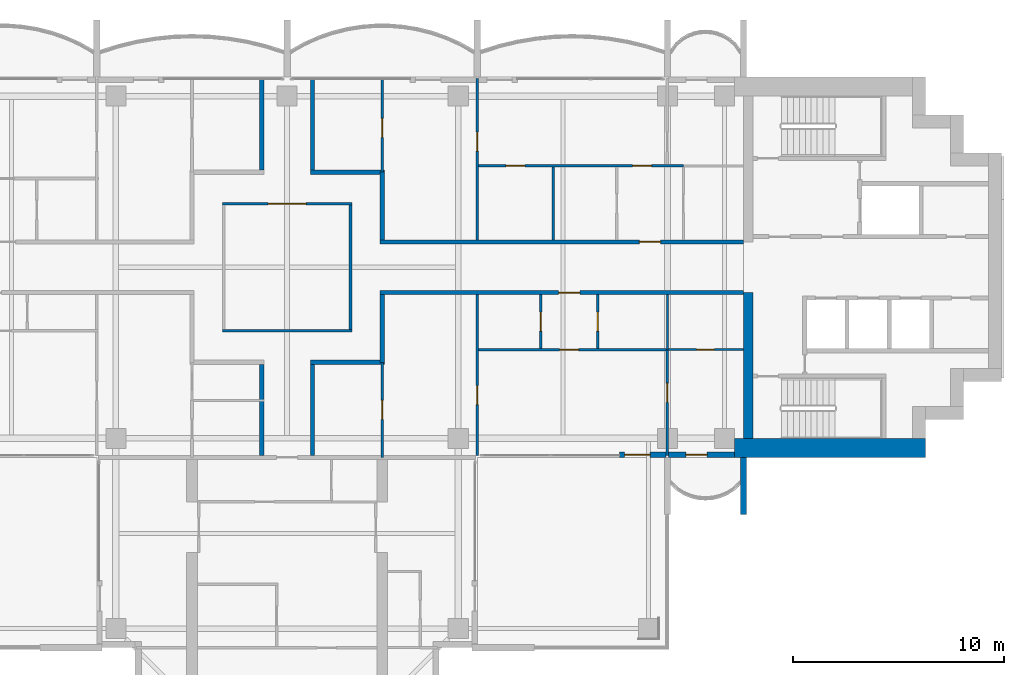
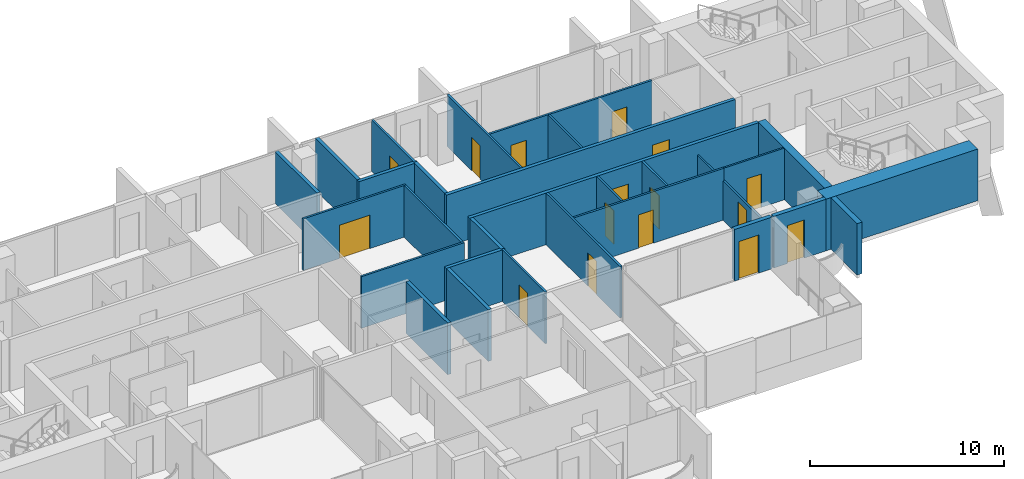
# One storey, part 11 of 17: 30 walls, 16 doors, 16 openings.
"""IFC4 building model written with IfcOpenShell, lengths in metres."""

from ifc_helpers import new_model, si_unit, direction, frame, frame_2d, origin, place, context, subcontext, project, spatial, rectangle, extrude, material, layer, layer_set, type_object, element, fill, save


model = new_model("IFC4")

# Units and contexts
model_context = context("Model", 3, precision=1e-05, world=origin(), true_north=direction((0.0, 1.0)))
body_context = subcontext(model_context, "Body", "Model", "MODEL_VIEW")
ifc_project = project(units=[si_unit("LENGTHUNIT", "METRE"), si_unit("AREAUNIT", "SQUARE_METRE"), si_unit("VOLUMEUNIT", "CUBIC_METRE"), si_unit("PLANEANGLEUNIT", "RADIAN"), si_unit("MASSUNIT", "GRAM", prefix="KILO")], contexts=[model_context])

# Site, building, storey
site_placement = place(None, origin())
site = spatial("IfcSite", under=ifc_project, at=site_placement, CompositionType="ELEMENT")
building_placement = place(site_placement, origin())
building = spatial("IfcBuilding", under=site, at=building_placement, Name="Perihelion Cross Residences", CompositionType="ELEMENT")
storey_placement = place(building_placement, frame((0.0, 0.0, 205.10009765625)))
storey = spatial("IfcBuildingStorey", under=building, at=storey_placement, Name="L51", CompositionType="ELEMENT", Elevation=205.10009765625)

# Wall, opening, door
ifc_material_1 = material(Name="Plasterboard partition")
ifc_layer_1 = layer(ifc_material_1, 0.199951171875)
ifc_layer_set_1 = layer_set([ifc_layer_1], Name="Apartment separation wall 200")
wall_type_1 = type_object("IfcWallType", Name="Apartment separation wall 200", PredefinedType="PARTITIONING", material=ifc_layer_set_1)
wall_1_placement = place(storey_placement, frame((4.39990234375, 1.199951171875, 0.0), z_axis=(0.0, 0.0, 1.0), x_axis=(1.0, 0.0, 0.0)))
wall_1 = element("IfcWall", 1, at=wall_1_placement, inside=storey, type_object=wall_type_1, Name="Partition L51 W005", PredefinedType="PARTITIONING", context=body_context, shape_type="SweptSolid", body=[
    extrude(rectangle(XDim=17.2001953125, YDim=0.199951171875, at=frame_2d((8.60009765625, 0.0))), origin(), (0.0, 0.0, 1.0), 3.25),
])
opening_1_placement = place(wall_1_placement, frame((12.27490234375, 0.0, 0.0)))
opening_1 = element("IfcOpeningElement", 2, at=opening_1_placement, cuts=wall_1, Name="Opening L51.A38", PredefinedType="OPENING", context=body_context, shape_type="SweptSolid", body=[
    extrude(rectangle(XDim=1.0, YDim=2.10009765625, at=frame_2d((0.5, 1.050048828125))), frame((0.0, 0.10986328125, 0.0), z_axis=(0.0, -1.0, 0.0), x_axis=(1.0, 0.0, 0.0)), (0.0, 0.0, 1.0), 0.219970703125),
])
ifc_material_2 = material(Name="Timber door leaf", Category="wood")
door_type_1 = type_object("IfcDoorType", Name="Flat entrance door 1000 x 2100", OperationType="SINGLE_SWING_LEFT", PredefinedType="DOOR", material=ifc_material_2)
door_1_placement = place(opening_1_placement, origin())
door_1 = element("IfcDoor", 3, at=door_1_placement, inside=storey, type_object=door_type_1, Name="Door L51.A38", OperationType="SINGLE_SWING_LEFT", OverallHeight=2.10009765625, OverallWidth=1.0, PredefinedType="DOOR", context=body_context, shape_type="SweptSolid", body=[
    extrude(rectangle(XDim=1.0, YDim=2.10009765625, at=frame_2d((0.5, 1.050048828125))), frame((0.0, 0.02490234375, 0.0), z_axis=(0.0, -1.0, 0.0), x_axis=(1.0, 0.0, 0.0)), (0.0, 0.0, 1.0), 0.050048828125),
])
fill(opening_1, door_1)

# Walls
wall_2_placement = place(storey_placement, frame((4.5, 4.5, 0.0), z_axis=(0.0, 0.0, 1.0), x_axis=(0.0, -1.0, 0.0)))
element("IfcWall", 4, at=wall_2_placement, inside=storey, type_object=wall_type_1, Name="Partition L51 W006", PredefinedType="PARTITIONING", context=body_context, shape_type="SweptSolid", body=[
    extrude(rectangle(XDim=3.199951171875, YDim=0.199951171875, at=frame_2d((1.60009765625, 0.0))), origin(), (0.0, 0.0, 1.0), 3.25),
])
wall_3_placement = place(storey_placement, frame((1.199951171875, 8.919921875, 0.0), z_axis=(0.0, 0.0, 1.0), x_axis=(0.0, -1.0, 0.0)))
element("IfcWall", 5, at=wall_3_placement, inside=storey, type_object=wall_type_1, Name="Partition L51 W007", PredefinedType="PARTITIONING", context=body_context, shape_type="SweptSolid", body=[
    extrude(rectangle(XDim=4.31982421875, YDim=0.199951171875, at=frame_2d((2.159912109375, 0.0))), origin(), (0.0, 0.0, 1.0), 3.25),
])
wall_4_placement = place(storey_placement, frame((1.10009765625, 4.5, 0.0), z_axis=(0.0, 0.0, 1.0), x_axis=(1.0, 0.0, 0.0)))
element("IfcWall", 6, at=wall_4_placement, inside=storey, type_object=wall_type_1, Name="Partition L51 W008", PredefinedType="PARTITIONING", context=body_context, shape_type="SweptSolid", body=[
    extrude(rectangle(XDim=3.5, YDim=0.199951171875, at=frame_2d((1.75, 0.0))), origin(), (0.0, 0.0, 1.0), 3.25),
])

# Wall, opening, door
wall_5_placement = place(storey_placement, frame((21.60009765625, -1.199951171875, 0.0), z_axis=(0.0, 0.0, 1.0), x_axis=(-1.0, 0.0, 0.0)))
wall_5 = element("IfcWall", 7, at=wall_5_placement, inside=storey, type_object=wall_type_1, Name="Partition L51 W009", PredefinedType="PARTITIONING", context=body_context, shape_type="SweptSolid", body=[
    extrude(rectangle(XDim=17.2001953125, YDim=0.199951171875, at=frame_2d((8.60009765625, 0.0))), origin(), (0.0, 0.0, 1.0), 3.25),
])
opening_2_placement = place(wall_5_placement, frame((7.75, 0.0, 0.0)))
opening_2 = element("IfcOpeningElement", 8, at=opening_2_placement, cuts=wall_5, Name="Opening L51.A39", PredefinedType="OPENING", context=body_context, shape_type="SweptSolid", body=[
    extrude(rectangle(XDim=1.0, YDim=2.10009765625, at=frame_2d((0.5, 1.050048828125))), frame((0.0, 0.10986328125, 0.0), z_axis=(0.0, -1.0, 0.0), x_axis=(1.0, 0.0, 0.0)), (0.0, 0.0, 1.0), 0.219970703125),
])
door_2_placement = place(opening_2_placement, origin())
door_2 = element("IfcDoor", 9, at=door_2_placement, inside=storey, type_object=door_type_1, Name="Door L51.A39", OperationType="SINGLE_SWING_LEFT", OverallHeight=2.10009765625, OverallWidth=1.0, PredefinedType="DOOR", context=body_context, shape_type="SweptSolid", body=[
    extrude(rectangle(XDim=1.0, YDim=2.10009765625, at=frame_2d((0.5, 1.050048828125))), frame((0.0, 0.02490234375, 0.0), z_axis=(0.0, -1.0, 0.0), x_axis=(1.0, 0.0, 0.0)), (0.0, 0.0, 1.0), 0.050048828125),
])
fill(opening_2, door_2)

# Walls
wall_6_placement = place(storey_placement, frame((4.5, -1.300048828125, 0.0), z_axis=(0.0, 0.0, 1.0), x_axis=(0.0, -1.0, 0.0)))
element("IfcWall", 10, at=wall_6_placement, inside=storey, type_object=wall_type_1, Name="Partition L51 W010", PredefinedType="PARTITIONING", context=body_context, shape_type="SweptSolid", body=[
    extrude(rectangle(XDim=3.199951171875, YDim=0.199951171875, at=frame_2d((1.60009765625, 0.0))), origin(), (0.0, 0.0, 1.0), 3.25),
])
wall_7_placement = place(storey_placement, frame((4.60009765625, -4.5, 0.0), z_axis=(0.0, 0.0, 1.0), x_axis=(-1.0, 0.0, 0.0)))
element("IfcWall", 11, at=wall_7_placement, inside=storey, type_object=wall_type_1, Name="Partition L51 W011", PredefinedType="PARTITIONING", context=body_context, shape_type="SweptSolid", body=[
    extrude(rectangle(XDim=3.5, YDim=0.199951171875, at=frame_2d((1.75, 0.0))), origin(), (0.0, 0.0, 1.0), 3.25),
])
wall_8_placement = place(storey_placement, frame((1.199951171875, -4.60009765625, 0.0), z_axis=(0.0, 0.0, 1.0), x_axis=(0.0, -1.0, 0.0)))
element("IfcWall", 12, at=wall_8_placement, inside=storey, type_object=wall_type_1, Name="Partition L51 W012", PredefinedType="PARTITIONING", context=body_context, shape_type="SweptSolid", body=[
    extrude(rectangle(XDim=4.2998046875, YDim=0.199951171875, at=frame_2d((2.14990234375, 0.0))), origin(), (0.0, 0.0, 1.0), 3.25),
])
wall_9_placement = place(storey_placement, frame((-1.199951171875, 4.60009765625, 0.0), z_axis=(0.0, 0.0, 1.0), x_axis=(0.0, 1.0, 0.0)))
element("IfcWall", 13, at=wall_9_placement, inside=storey, type_object=wall_type_1, Name="Partition L51 W016", PredefinedType="PARTITIONING", context=body_context, shape_type="SweptSolid", body=[
    extrude(rectangle(XDim=4.31982421875, YDim=0.199951171875, at=frame_2d((2.159912109375, 0.0))), origin(), (0.0, 0.0, 1.0), 3.25),
])
wall_10_placement = place(storey_placement, frame((-1.199951171875, -8.89990234375, 0.0), z_axis=(0.0, 0.0, 1.0), x_axis=(0.0, 1.0, 0.0)))
element("IfcWall", 14, at=wall_10_placement, inside=storey, type_object=wall_type_1, Name="Partition L51 W019", PredefinedType="PARTITIONING", context=body_context, shape_type="SweptSolid", body=[
    extrude(rectangle(XDim=4.2998046875, YDim=0.199951171875, at=frame_2d((2.14990234375, 0.0))), origin(), (0.0, 0.0, 1.0), 3.25),
])

# Wall, opening, door
ifc_material_3 = material(Name="Concrete C30/37, bronze-clad", Category="concrete")
ifc_layer_2 = layer(ifc_material_3, 0.25)
ifc_layer_set_2 = layer_set([ifc_layer_2], Name="Bronze-clad pier wall 250")
wall_type_2 = type_object("IfcWallType", Name="Bronze-clad pier wall 250", PredefinedType="SOLIDWALL", material=ifc_layer_set_2)
wall_11_placement = place(storey_placement, frame((15.72509765625, -8.875, 0.0), z_axis=(0.0, 0.0, 1.0), x_axis=(1.0, 0.0, 0.0)))
wall_11 = element("IfcWall", 15, at=wall_11_placement, inside=storey, type_object=wall_type_2, Name="Wall FW1 L51 east side south bay 1 pier", PredefinedType="SOLIDWALL", context=body_context, shape_type="SweptSolid", body=[
    extrude(rectangle(XDim=2.21484375, YDim=0.25, at=frame_2d((1.107421875, 0.0))), origin(), (0.0, 0.0, 1.0), 3.25),
])
opening_3_placement = place(wall_11_placement, frame((0.25, 0.0, 0.0)))
opening_3 = element("IfcOpeningElement", 16, at=opening_3_placement, cuts=wall_11, Name="Opening L51.E13", PredefinedType="OPENING", context=body_context, shape_type="SweptSolid", body=[
    extrude(rectangle(XDim=1.199951171875, YDim=2.39990234375, at=frame_2d((0.60009765625, 1.199951171875))), frame((0.0, 0.135009765625, 0.0), z_axis=(0.0, -1.0, 0.0), x_axis=(1.0, 0.0, 0.0)), (0.0, 0.0, 1.0), 0.27001953125),
])
ifc_material_4 = material(Name="Bronze anodised aluminium, glazed", Category="aluminium")
door_type_2 = type_object("IfcDoorType", Name="Balcony door 1200 x 2400", OperationType="NOTDEFINED", PredefinedType="DOOR", material=ifc_material_4)
door_3_placement = place(opening_3_placement, origin())
door_3 = element("IfcDoor", 17, at=door_3_placement, inside=storey, type_object=door_type_2, Name="Door L51.E13 east side south bay 1", OperationType="SINGLE_SWING_LEFT", OverallHeight=2.39990234375, OverallWidth=1.199951171875, PredefinedType="DOOR", context=body_context, shape_type="SweptSolid", body=[
    extrude(rectangle(XDim=1.199951171875, YDim=2.39990234375, at=frame_2d((0.60009765625, 1.199951171875))), frame((0.0, 0.02490234375, 0.0), z_axis=(0.0, -1.0, 0.0), x_axis=(1.0, 0.0, 0.0)), (0.0, 0.0, 1.0), 0.050048828125),
])
fill(opening_3, door_3)

wall_12_placement = place(storey_placement, frame((18.06005859375, -8.875, 0.0), z_axis=(0.0, 0.0, 1.0), x_axis=(1.0, 0.0, 0.0)))
wall_12 = element("IfcWall", 18, at=wall_12_placement, inside=storey, type_object=wall_type_2, Name="Wall FW1 L51 east side south bay 2 pier", PredefinedType="SOLIDWALL", context=body_context, shape_type="SweptSolid", body=[
    extrude(rectangle(XDim=3.114990234375, YDim=0.25, at=frame_2d((1.5576171875, 0.0))), origin(), (0.0, 0.0, 1.0), 3.25),
])
opening_4_placement = place(wall_12_placement, frame((0.81494140625, 0.0, 0.0)))
opening_4 = element("IfcOpeningElement", 19, at=opening_4_placement, cuts=wall_12, Name="Opening L51.E14", PredefinedType="OPENING", context=body_context, shape_type="SweptSolid", body=[
    extrude(rectangle(XDim=1.0, YDim=2.39990234375, at=frame_2d((0.5, 1.199951171875))), frame((0.0, 0.135009765625, 0.0), z_axis=(0.0, -1.0, 0.0), x_axis=(1.0, 0.0, 0.0)), (0.0, 0.0, 1.0), 0.27001953125),
])
ifc_material_5 = material(Name="Bronze anodised aluminium, glazed", Category="aluminium")
door_type_3 = type_object("IfcDoorType", Name="Balcony door 1000 x 2400", OperationType="NOTDEFINED", PredefinedType="DOOR", material=ifc_material_5)
door_4_placement = place(opening_4_placement, origin())
door_4 = element("IfcDoor", 20, at=door_4_placement, inside=storey, type_object=door_type_3, Name="Door L51.E14 east side south bay 2", OperationType="SINGLE_SWING_RIGHT", OverallHeight=2.39990234375, OverallWidth=1.0, PredefinedType="DOOR", context=body_context, shape_type="SweptSolid", body=[
    extrude(rectangle(XDim=1.0, YDim=2.39990234375, at=frame_2d((0.5, 1.199951171875))), frame((0.0, 0.02490234375, 0.0), z_axis=(0.0, -1.0, 0.0), x_axis=(1.0, 0.0, 0.0)), (0.0, 0.0, 1.0), 0.050048828125),
])
fill(opening_4, door_4)

# Walls
ifc_material_6 = material(Name="Concrete C60/75", Category="concrete")
ifc_layer_3 = layer(ifc_material_6, 0.449951171875)
ifc_layer_set_3 = layer_set([ifc_layer_3], Name="Core wall, inner 450")
wall_type_3 = type_object("IfcWallType", Name="Core wall, inner 450", PredefinedType="SHEAR", material=ifc_layer_set_3)
wall_13_placement = place(storey_placement, frame((21.824951171875, -8.10009765625, 0.0), z_axis=(0.0, 0.0, 1.0), x_axis=(0.0, 1.0, 0.0)))
element("IfcWall", 21, at=wall_13_placement, inside=storey, type_object=wall_type_3, Name="East core core wall, inner", PredefinedType="SHEAR", context=body_context, shape_type="SweptSolid", body=[
    extrude(rectangle(XDim=6.900146484375, YDim=0.449951171875, at=frame_2d((3.4501953125, 0.0))), origin(), (0.0, 0.0, 1.0), 3.25),
])
ifc_material_7 = material(Name="Concrete C60/75", Category="concrete")
ifc_layer_4 = layer(ifc_material_7, 0.89990234375)
ifc_layer_set_4 = layer_set([ifc_layer_4], Name="Core wall, outer 900")
wall_type_4 = type_object("IfcWallType", Name="Core wall, outer 900", PredefinedType="SHEAR", material=ifc_layer_set_4)
wall_14_placement = place(storey_placement, frame((21.175048828125, -8.550048828125, 0.0), z_axis=(0.0, 0.0, 1.0), x_axis=(1.0, 0.0, 0.0)))
element("IfcWall", 22, at=wall_14_placement, inside=storey, type_object=wall_type_4, Name="East core core wall, outer", PredefinedType="SHEAR", context=body_context, shape_type="SweptSolid", body=[
    extrude(rectangle(XDim=9.02490234375, YDim=0.89990234375, at=frame_2d((4.512451171875, 0.0))), origin(), (0.0, 0.0, 1.0), 3.25),
])
ifc_material_8 = material(Name="Plasterboard partition")
ifc_layer_5 = layer(ifc_material_8, 0.1201171875)
ifc_layer_set_5 = layer_set([ifc_layer_5], Name="Partition wall 120")
wall_type_5 = type_object("IfcWallType", Name="Partition wall 120", PredefinedType="PARTITIONING", material=ifc_layer_set_5)
wall_15_placement = place(storey_placement, frame((-3.06005859375, -3.0, 0.0), z_axis=(0.0, 0.0, 1.0), x_axis=(1.0, 0.0, 0.0)))
element("IfcWall", 23, at=wall_15_placement, inside=storey, type_object=wall_type_5, Name="Partition L51 W001", PredefinedType="PARTITIONING", context=body_context, shape_type="SweptSolid", body=[
    extrude(rectangle(XDim=6.1201171875, YDim=0.1201171875, at=frame_2d((3.06005859375, 0.0))), origin(), (0.0, 0.0, 1.0), 3.25),
])
wall_16_placement = place(storey_placement, frame((3.0, -2.93994140625, 0.0), z_axis=(0.0, 0.0, 1.0), x_axis=(0.0, 1.0, 0.0)))
element("IfcWall", 24, at=wall_16_placement, inside=storey, type_object=wall_type_5, Name="Partition L51 W002", PredefinedType="PARTITIONING", context=body_context, shape_type="SweptSolid", body=[
    extrude(rectangle(XDim=5.8798828125, YDim=0.1201171875, at=frame_2d((2.93994140625, 0.0))), origin(), (0.0, 0.0, 1.0), 3.25),
])

# Wall, opening, door
wall_17_placement = place(storey_placement, frame((3.06005859375, 3.0, 0.0), z_axis=(0.0, 0.0, 1.0), x_axis=(-1.0, 0.0, 0.0)))
wall_17 = element("IfcWall", 25, at=wall_17_placement, inside=storey, type_object=wall_type_5, Name="Partition L51 W003", PredefinedType="PARTITIONING", context=body_context, shape_type="SweptSolid", body=[
    extrude(rectangle(XDim=6.1201171875, YDim=0.1201171875, at=frame_2d((3.06005859375, 0.0))), origin(), (0.0, 0.0, 1.0), 3.25),
])
opening_5_placement = place(wall_17_placement, frame((2.159912109375, 0.0, 0.0)))
opening_5 = element("IfcOpeningElement", 26, at=opening_5_placement, cuts=wall_17, Name="Opening L51.A01", PredefinedType="OPENING", context=body_context, shape_type="SweptSolid", body=[
    extrude(rectangle(XDim=1.800048828125, YDim=2.10009765625, at=frame_2d((0.89990234375, 1.050048828125))), frame((0.0, 0.070068359375, 0.0), z_axis=(0.0, -1.0, 0.0), x_axis=(1.0, 0.0, 0.0)), (0.0, 0.0, 1.0), 0.14013671875),
])
ifc_material_9 = material(Name="Glazed timber door leaf", Category="wood")
door_type_4 = type_object("IfcDoorType", Name="Interior double leaf door 1800 x 2100", OperationType="DOUBLE_DOOR_SINGLE_SWING", PredefinedType="DOOR", material=ifc_material_9)
door_5_placement = place(opening_5_placement, origin())
door_5 = element("IfcDoor", 27, at=door_5_placement, inside=storey, type_object=door_type_4, Name="Door L51.A01", OperationType="SINGLE_SWING_LEFT", OverallHeight=2.10009765625, OverallWidth=1.800048828125, PredefinedType="DOOR", context=body_context, shape_type="SweptSolid", body=[
    extrude(rectangle(XDim=1.800048828125, YDim=2.10009765625, at=frame_2d((0.89990234375, 1.050048828125))), frame((0.0, 0.02490234375, 0.0), z_axis=(0.0, -1.0, 0.0), x_axis=(1.0, 0.0, 0.0)), (0.0, 0.0, 1.0), 0.050048828125),
])
fill(opening_5, door_5)

# Wall
wall_18_placement = place(storey_placement, frame((12.60009765625, 4.739990234375, 0.0), z_axis=(0.0, 0.0, 1.0), x_axis=(0.0, -1.0, 0.0)))
element("IfcWall", 28, at=wall_18_placement, inside=storey, type_object=wall_type_5, Name="Partition L51 W022", PredefinedType="PARTITIONING", context=body_context, shape_type="SweptSolid", body=[
    extrude(rectangle(XDim=3.43994140625, YDim=0.1201171875, at=frame_2d((1.719970703125, 0.0))), origin(), (0.0, 0.0, 1.0), 3.25),
])

# Wall, openings, doors
wall_19_placement = place(storey_placement, frame((8.93994140625, 4.800048828125, 0.0), z_axis=(0.0, 0.0, 1.0), x_axis=(1.0, 0.0, 0.0)))
wall_19 = element("IfcWall", 29, at=wall_19_placement, inside=storey, type_object=wall_type_5, Name="Partition L51 W023", PredefinedType="PARTITIONING", context=body_context, shape_type="SweptSolid", body=[
    extrude(rectangle(XDim=9.81005859375, YDim=0.1201171875, at=frame_2d((4.905029296875, 0.0))), origin(), (0.0, 0.0, 1.0), 3.25),
])
opening_6_placement = place(wall_19_placement, frame((1.409912109375, 0.0, 0.0)))
opening_6 = element("IfcOpeningElement", 30, at=opening_6_placement, cuts=wall_19, Name="Opening L51.A05", PredefinedType="OPENING", context=body_context, shape_type="SweptSolid", body=[
    extrude(rectangle(XDim=0.89990234375, YDim=2.10009765625, at=frame_2d((0.449951171875, 1.050048828125))), frame((0.0, 0.070068359375, 0.0), z_axis=(0.0, -1.0, 0.0), x_axis=(1.0, 0.0, 0.0)), (0.0, 0.0, 1.0), 0.14013671875),
])
opening_7_placement = place(wall_19_placement, frame((7.409912109375, 0.0, 0.0)))
opening_7 = element("IfcOpeningElement", 31, at=opening_7_placement, cuts=wall_19, Name="Opening L51.A06", PredefinedType="OPENING", context=body_context, shape_type="SweptSolid", body=[
    extrude(rectangle(XDim=0.89990234375, YDim=2.10009765625, at=frame_2d((0.449951171875, 1.050048828125))), frame((0.0, 0.070068359375, 0.0), z_axis=(0.0, -1.0, 0.0), x_axis=(1.0, 0.0, 0.0)), (0.0, 0.0, 1.0), 0.14013671875),
])
ifc_material_10 = material(Name="Timber door leaf", Category="wood")
door_type_5 = type_object("IfcDoorType", Name="Interior room door 900 x 2100", OperationType="SINGLE_SWING_LEFT", PredefinedType="DOOR", material=ifc_material_10)
door_6_placement = place(opening_6_placement, origin())
door_6 = element("IfcDoor", 32, at=door_6_placement, inside=storey, type_object=door_type_5, Name="Door L51.A05", OperationType="SINGLE_SWING_RIGHT", OverallHeight=2.10009765625, OverallWidth=0.89990234375, PredefinedType="DOOR", context=body_context, shape_type="SweptSolid", body=[
    extrude(rectangle(XDim=0.89990234375, YDim=2.10009765625, at=frame_2d((0.449951171875, 1.050048828125))), frame((0.0, 0.02490234375, 0.0), z_axis=(0.0, -1.0, 0.0), x_axis=(1.0, 0.0, 0.0)), (0.0, 0.0, 1.0), 0.050048828125),
])
fill(opening_6, door_6)
door_7_placement = place(opening_7_placement, origin())
door_7 = element("IfcDoor", 33, at=door_7_placement, inside=storey, type_object=door_type_5, Name="Door L51.A06", OperationType="SINGLE_SWING_LEFT", OverallHeight=2.10009765625, OverallWidth=0.89990234375, PredefinedType="DOOR", context=body_context, shape_type="SweptSolid", body=[
    extrude(rectangle(XDim=0.89990234375, YDim=2.10009765625, at=frame_2d((0.449951171875, 1.050048828125))), frame((0.0, 0.02490234375, 0.0), z_axis=(0.0, -1.0, 0.0), x_axis=(1.0, 0.0, 0.0)), (0.0, 0.0, 1.0), 0.050048828125),
])
fill(opening_7, door_7)

# Wall, opening, door
wall_20_placement = place(storey_placement, frame((9.0, 1.300048828125, 0.0), z_axis=(0.0, 0.0, 1.0), x_axis=(0.0, 1.0, 0.0)))
wall_20 = element("IfcWall", 34, at=wall_20_placement, inside=storey, type_object=wall_type_5, Name="Partition L51 W024", PredefinedType="PARTITIONING", context=body_context, shape_type="SweptSolid", body=[
    extrude(rectangle(XDim=7.619873046875, YDim=0.1201171875, at=frame_2d((3.81005859375, 0.0))), origin(), (0.0, 0.0, 1.0), 3.25),
])
opening_8_placement = place(wall_20_placement, frame((4.199951171875, 0.0, 0.0)))
opening_8 = element("IfcOpeningElement", 35, at=opening_8_placement, cuts=wall_20, Name="Opening L51.A07", PredefinedType="OPENING", context=body_context, shape_type="SweptSolid", body=[
    extrude(rectangle(XDim=0.89990234375, YDim=2.10009765625, at=frame_2d((0.449951171875, 1.050048828125))), frame((0.0, 0.070068359375, 0.0), z_axis=(0.0, -1.0, 0.0), x_axis=(1.0, 0.0, 0.0)), (0.0, 0.0, 1.0), 0.14013671875),
])
door_8_placement = place(opening_8_placement, origin())
door_8 = element("IfcDoor", 36, at=door_8_placement, inside=storey, type_object=door_type_5, Name="Door L51.A07", OperationType="SINGLE_SWING_LEFT", OverallHeight=2.10009765625, OverallWidth=0.89990234375, PredefinedType="DOOR", context=body_context, shape_type="SweptSolid", body=[
    extrude(rectangle(XDim=0.89990234375, YDim=2.10009765625, at=frame_2d((0.449951171875, 1.050048828125))), frame((0.0, 0.02490234375, 0.0), z_axis=(0.0, -1.0, 0.0), x_axis=(1.0, 0.0, 0.0)), (0.0, 0.0, 1.0), 0.050048828125),
])
fill(opening_8, door_8)

wall_21_placement = place(storey_placement, frame((4.5, 4.5, 0.0), z_axis=(0.0, 0.0, 1.0), x_axis=(0.0, 1.0, 0.0)))
wall_21 = element("IfcWall", 37, at=wall_21_placement, inside=storey, type_object=wall_type_5, Name="Partition L51 W029", PredefinedType="PARTITIONING", context=body_context, shape_type="SweptSolid", body=[
    extrude(rectangle(XDim=4.419921875, YDim=0.1201171875, at=frame_2d((2.2099609375, 0.0))), origin(), (0.0, 0.0, 1.0), 3.25),
])
opening_9_placement = place(wall_21_placement, frame((1.64990234375, 0.0, 0.0)))
opening_9 = element("IfcOpeningElement", 38, at=opening_9_placement, cuts=wall_21, Name="Opening L51.A03", PredefinedType="OPENING", context=body_context, shape_type="SweptSolid", body=[
    extrude(rectangle(XDim=0.89990234375, YDim=2.10009765625, at=frame_2d((0.449951171875, 1.050048828125))), frame((0.0, 0.070068359375, 0.0), z_axis=(0.0, -1.0, 0.0), x_axis=(1.0, 0.0, 0.0)), (0.0, 0.0, 1.0), 0.14013671875),
])
door_9_placement = place(opening_9_placement, origin())
door_9 = element("IfcDoor", 39, at=door_9_placement, inside=storey, type_object=door_type_5, Name="Door L51.A03", OperationType="SINGLE_SWING_LEFT", OverallHeight=2.10009765625, OverallWidth=0.89990234375, PredefinedType="DOOR", context=body_context, shape_type="SweptSolid", body=[
    extrude(rectangle(XDim=0.89990234375, YDim=2.10009765625, at=frame_2d((0.449951171875, 1.050048828125))), frame((0.0, 0.02490234375, 0.0), z_axis=(0.0, -1.0, 0.0), x_axis=(1.0, 0.0, 0.0)), (0.0, 0.0, 1.0), 0.050048828125),
])
fill(opening_9, door_9)

wall_22_placement = place(storey_placement, frame((12.0, -1.300048828125, 0.0), z_axis=(0.0, 0.0, 1.0), x_axis=(0.0, -1.0, 0.0)))
wall_22 = element("IfcWall", 40, at=wall_22_placement, inside=storey, type_object=wall_type_5, Name="Partition L51 W030", PredefinedType="PARTITIONING", context=body_context, shape_type="SweptSolid", body=[
    extrude(rectangle(XDim=2.5400390625, YDim=0.1201171875, at=frame_2d((1.27001953125, 0.0))), origin(), (0.0, 0.0, 1.0), 3.25),
])
opening_10_placement = place(wall_22_placement, frame((0.820068359375, 0.0, 0.0)))
opening_10 = element("IfcOpeningElement", 41, at=opening_10_placement, cuts=wall_22, Name="Opening L51.A12", PredefinedType="OPENING", context=body_context, shape_type="SweptSolid", body=[
    extrude(rectangle(XDim=0.89990234375, YDim=2.10009765625, at=frame_2d((0.449951171875, 1.050048828125))), frame((0.0, 0.070068359375, 0.0), z_axis=(0.0, -1.0, 0.0), x_axis=(1.0, 0.0, 0.0)), (0.0, 0.0, 1.0), 0.14013671875),
])
door_10_placement = place(opening_10_placement, origin())
door_10 = element("IfcDoor", 42, at=door_10_placement, inside=storey, type_object=door_type_5, Name="Door L51.A12", OperationType="SINGLE_SWING_LEFT", OverallHeight=2.10009765625, OverallWidth=0.89990234375, PredefinedType="DOOR", context=body_context, shape_type="SweptSolid", body=[
    extrude(rectangle(XDim=0.89990234375, YDim=2.10009765625, at=frame_2d((0.449951171875, 1.050048828125))), frame((0.0, 0.02490234375, 0.0), z_axis=(0.0, -1.0, 0.0), x_axis=(1.0, 0.0, 0.0)), (0.0, 0.0, 1.0), 0.050048828125),
])
fill(opening_10, door_10)

wall_23_placement = place(storey_placement, frame((18.0, -3.89990234375, 0.0), z_axis=(0.0, 0.0, 1.0), x_axis=(-1.0, 0.0, 0.0)))
wall_23 = element("IfcWall", 43, at=wall_23_placement, inside=storey, type_object=wall_type_5, Name="Partition L51 W031", PredefinedType="PARTITIONING", context=body_context, shape_type="SweptSolid", body=[
    extrude(rectangle(XDim=9.06005859375, YDim=0.1201171875, at=frame_2d((4.530029296875, 0.0))), origin(), (0.0, 0.0, 1.0), 3.25),
])
opening_11_placement = place(wall_23_placement, frame((4.199951171875, 0.0, 0.0)))
opening_11 = element("IfcOpeningElement", 44, at=opening_11_placement, cuts=wall_23, Name="Opening L51.A13", PredefinedType="OPENING", context=body_context, shape_type="SweptSolid", body=[
    extrude(rectangle(XDim=0.89990234375, YDim=2.10009765625, at=frame_2d((0.449951171875, 1.050048828125))), frame((0.0, 0.070068359375, 0.0), z_axis=(0.0, -1.0, 0.0), x_axis=(1.0, 0.0, 0.0)), (0.0, 0.0, 1.0), 0.14013671875),
])
door_11_placement = place(opening_11_placement, origin())
door_11 = element("IfcDoor", 45, at=door_11_placement, inside=storey, type_object=door_type_5, Name="Door L51.A13", OperationType="SINGLE_SWING_LEFT", OverallHeight=2.10009765625, OverallWidth=0.89990234375, PredefinedType="DOOR", context=body_context, shape_type="SweptSolid", body=[
    extrude(rectangle(XDim=0.89990234375, YDim=2.10009765625, at=frame_2d((0.449951171875, 1.050048828125))), frame((0.0, 0.02490234375, 0.0), z_axis=(0.0, -1.0, 0.0), x_axis=(1.0, 0.0, 0.0)), (0.0, 0.0, 1.0), 0.050048828125),
])
fill(opening_11, door_11)

wall_24_placement = place(storey_placement, frame((9.0, -8.919921875, 0.0), z_axis=(0.0, 0.0, 1.0), x_axis=(0.0, 1.0, 0.0)))
wall_24 = element("IfcWall", 46, at=wall_24_placement, inside=storey, type_object=wall_type_5, Name="Partition L51 W032", PredefinedType="PARTITIONING", context=body_context, shape_type="SweptSolid", body=[
    extrude(rectangle(XDim=7.619873046875, YDim=0.1201171875, at=frame_2d((3.81005859375, 0.0))), origin(), (0.0, 0.0, 1.0), 3.25),
])
opening_12_placement = place(wall_24_placement, frame((2.419921875, 0.0, 0.0)))
opening_12 = element("IfcOpeningElement", 47, at=opening_12_placement, cuts=wall_24, Name="Opening L51.A15", PredefinedType="OPENING", context=body_context, shape_type="SweptSolid", body=[
    extrude(rectangle(XDim=0.89990234375, YDim=2.10009765625, at=frame_2d((0.449951171875, 1.050048828125))), frame((0.0, 0.070068359375, 0.0), z_axis=(0.0, -1.0, 0.0), x_axis=(1.0, 0.0, 0.0)), (0.0, 0.0, 1.0), 0.14013671875),
])
door_12_placement = place(opening_12_placement, origin())
door_12 = element("IfcDoor", 48, at=door_12_placement, inside=storey, type_object=door_type_5, Name="Door L51.A15", OperationType="SINGLE_SWING_LEFT", OverallHeight=2.10009765625, OverallWidth=0.89990234375, PredefinedType="DOOR", context=body_context, shape_type="SweptSolid", body=[
    extrude(rectangle(XDim=0.89990234375, YDim=2.10009765625, at=frame_2d((0.449951171875, 1.050048828125))), frame((0.0, 0.02490234375, 0.0), z_axis=(0.0, -1.0, 0.0), x_axis=(1.0, 0.0, 0.0)), (0.0, 0.0, 1.0), 0.050048828125),
])
fill(opening_12, door_12)

wall_25_placement = place(storey_placement, frame((14.699951171875, -1.300048828125, 0.0), z_axis=(0.0, 0.0, 1.0), x_axis=(0.0, -1.0, 0.0)))
wall_25 = element("IfcWall", 49, at=wall_25_placement, inside=storey, type_object=wall_type_5, Name="Partition L51 W033", PredefinedType="PARTITIONING", context=body_context, shape_type="SweptSolid", body=[
    extrude(rectangle(XDim=2.5400390625, YDim=0.1201171875, at=frame_2d((1.27001953125, 0.0))), origin(), (0.0, 0.0, 1.0), 3.25),
])
opening_13_placement = place(wall_25_placement, frame((0.820068359375, 0.0, 0.0)))
opening_13 = element("IfcOpeningElement", 50, at=opening_13_placement, cuts=wall_25, Name="Opening L51.A14", PredefinedType="OPENING", context=body_context, shape_type="SweptSolid", body=[
    extrude(rectangle(XDim=0.89990234375, YDim=2.10009765625, at=frame_2d((0.449951171875, 1.050048828125))), frame((0.0, 0.070068359375, 0.0), z_axis=(0.0, -1.0, 0.0), x_axis=(1.0, 0.0, 0.0)), (0.0, 0.0, 1.0), 0.14013671875),
])
door_13_placement = place(opening_13_placement, origin())
door_13 = element("IfcDoor", 51, at=door_13_placement, inside=storey, type_object=door_type_5, Name="Door L51.A14", OperationType="SINGLE_SWING_RIGHT", OverallHeight=2.10009765625, OverallWidth=0.89990234375, PredefinedType="DOOR", context=body_context, shape_type="SweptSolid", body=[
    extrude(rectangle(XDim=0.89990234375, YDim=2.10009765625, at=frame_2d((0.449951171875, 1.050048828125))), frame((0.0, 0.02490234375, 0.0), z_axis=(0.0, -1.0, 0.0), x_axis=(1.0, 0.0, 0.0)), (0.0, 0.0, 1.0), 0.050048828125),
])
fill(opening_13, door_13)

wall_26_placement = place(storey_placement, frame((18.0, -3.89990234375, 0.0), z_axis=(0.0, 0.0, 1.0), x_axis=(0.0, -1.0, 0.0)))
wall_26 = element("IfcWall", 52, at=wall_26_placement, inside=storey, type_object=wall_type_5, Name="Partition L51 W036", PredefinedType="PARTITIONING", context=body_context, shape_type="SweptSolid", body=[
    extrude(rectangle(XDim=5.02001953125, YDim=0.1201171875, at=frame_2d((2.510009765625, 0.0))), origin(), (0.0, 0.0, 1.0), 2.47998046875),
])
opening_14_placement = place(wall_26_placement, frame((1.60009765625, 0.0, 0.0)))
opening_14 = element("IfcOpeningElement", 53, at=opening_14_placement, cuts=wall_26, Name="Opening L51.A09", PredefinedType="OPENING", context=body_context, shape_type="SweptSolid", body=[
    extrude(rectangle(XDim=0.89990234375, YDim=2.10009765625, at=frame_2d((0.449951171875, 1.050048828125))), frame((0.0, 0.070068359375, 0.0), z_axis=(0.0, -1.0, 0.0), x_axis=(1.0, 0.0, 0.0)), (0.0, 0.0, 1.0), 0.14013671875),
])
door_14_placement = place(opening_14_placement, origin())
door_14 = element("IfcDoor", 54, at=door_14_placement, inside=storey, type_object=door_type_5, Name="Door L51.A09", OperationType="SINGLE_SWING_LEFT", OverallHeight=2.10009765625, OverallWidth=0.89990234375, PredefinedType="DOOR", context=body_context, shape_type="SweptSolid", body=[
    extrude(rectangle(XDim=0.89990234375, YDim=2.10009765625, at=frame_2d((0.449951171875, 1.050048828125))), frame((0.0, 0.02490234375, 0.0), z_axis=(0.0, -1.0, 0.0), x_axis=(1.0, 0.0, 0.0)), (0.0, 0.0, 1.0), 0.050048828125),
])
fill(opening_14, door_14)

wall_27_placement = place(storey_placement, frame((4.5, -9.0, 0.0), z_axis=(0.0, 0.0, 1.0), x_axis=(0.0, 1.0, 0.0)))
wall_27 = element("IfcWall", 55, at=wall_27_placement, inside=storey, type_object=wall_type_5, Name="Partition L51 W037", PredefinedType="PARTITIONING", context=body_context, shape_type="SweptSolid", body=[
    extrude(rectangle(XDim=4.5, YDim=0.1201171875, at=frame_2d((2.25, 0.0))), origin(), (0.0, 0.0, 1.0), 3.25),
])
opening_15_placement = place(wall_27_placement, frame((1.800048828125, 0.0, 0.0)))
opening_15 = element("IfcOpeningElement", 56, at=opening_15_placement, cuts=wall_27, Name="Opening L51.A10", PredefinedType="OPENING", context=body_context, shape_type="SweptSolid", body=[
    extrude(rectangle(XDim=0.89990234375, YDim=2.10009765625, at=frame_2d((0.449951171875, 1.050048828125))), frame((0.0, 0.070068359375, 0.0), z_axis=(0.0, -1.0, 0.0), x_axis=(1.0, 0.0, 0.0)), (0.0, 0.0, 1.0), 0.14013671875),
])
door_15_placement = place(opening_15_placement, origin())
door_15 = element("IfcDoor", 57, at=door_15_placement, inside=storey, type_object=door_type_5, Name="Door L51.A10", OperationType="SINGLE_SWING_LEFT", OverallHeight=2.10009765625, OverallWidth=0.89990234375, PredefinedType="DOOR", context=body_context, shape_type="SweptSolid", body=[
    extrude(rectangle(XDim=0.89990234375, YDim=2.10009765625, at=frame_2d((0.449951171875, 1.050048828125))), frame((0.0, 0.02490234375, 0.0), z_axis=(0.0, -1.0, 0.0), x_axis=(1.0, 0.0, 0.0)), (0.0, 0.0, 1.0), 0.050048828125),
])
fill(opening_15, door_15)

# Walls
ifc_material_11 = material(Name="Precast concrete C50/60", Category="concrete")
ifc_layer_6 = layer(ifc_material_11, 0.300048828125)
ifc_layer_set_6 = layer_set([ifc_layer_6], Name="Precast concrete C50/60 blade wall 300")
wall_type_6 = type_object("IfcWallType", Name="Precast concrete C50/60 blade wall 300", PredefinedType="SOLIDWALL", material=ifc_layer_set_6)
wall_28_placement = place(storey_placement, frame((21.60009765625, -9.0, 0.0), z_axis=(0.0, 0.0, 1.0), x_axis=(0.0, -1.0, 0.0)))
element("IfcWall", 58, at=wall_28_placement, inside=storey, type_object=wall_type_6, Name="Wall BL1 L51 no. 12", PredefinedType="SOLIDWALL", context=body_context, shape_type="SweptSolid", body=[
    extrude(rectangle(XDim=2.699951171875, YDim=0.300048828125, at=frame_2d((1.35009765625, 0.0))), origin(), (0.0, 0.0, 1.0), 3.25),
])
ifc_material_12 = material(Name="Plasterboard partition")
ifc_layer_7 = layer(ifc_material_12, 0.10009765625)
ifc_layer_set_7 = layer_set([ifc_layer_7], Name="Wet room wall 100")
wall_type_7 = type_object("IfcWallType", Name="Wet room wall 100", PredefinedType="PARTITIONING", material=ifc_layer_set_7)
wall_29_placement = place(storey_placement, frame((18.0, -1.300048828125, 0.0), z_axis=(0.0, 0.0, 1.0), x_axis=(0.0, -1.0, 0.0)))
element("IfcWall", 59, at=wall_29_placement, inside=storey, type_object=wall_type_7, Name="Partition L51 W034", PredefinedType="PARTITIONING", context=body_context, shape_type="SweptSolid", body=[
    extrude(rectangle(XDim=2.599853515625, YDim=0.10009765625, at=frame_2d((1.2998046875, 0.0))), origin(), (0.0, 0.0, 1.0), 2.47998046875),
])

# Wall, opening, door
wall_30_placement = place(storey_placement, frame((21.60009765625, -3.89990234375, 0.0), z_axis=(0.0, 0.0, 1.0), x_axis=(-1.0, 0.0, 0.0)))
wall_30 = element("IfcWall", 60, at=wall_30_placement, inside=storey, type_object=wall_type_7, Name="Partition L51 W035", PredefinedType="PARTITIONING", context=body_context, shape_type="SweptSolid", body=[
    extrude(rectangle(XDim=3.60009765625, YDim=0.10009765625, at=frame_2d((1.800048828125, 0.0))), origin(), (0.0, 0.0, 1.0), 3.25),
])
opening_16_placement = place(wall_30_placement, frame((1.375, 0.0, 0.0)))
opening_16 = element("IfcOpeningElement", 61, at=opening_16_placement, cuts=wall_30, Name="Opening L51.A11", PredefinedType="OPENING", context=body_context, shape_type="SweptSolid", body=[
    extrude(rectangle(XDim=0.85009765625, YDim=2.10009765625, at=frame_2d((0.425048828125, 1.050048828125))), frame((0.0, 0.06005859375, 0.0), z_axis=(0.0, -1.0, 0.0), x_axis=(1.0, 0.0, 0.0)), (0.0, 0.0, 1.0), 0.1201171875),
])
ifc_material_13 = material(Name="Timber door leaf", Category="wood")
door_type_6 = type_object("IfcDoorType", Name="Interior bathroom door 850 x 2100", OperationType="SINGLE_SWING_LEFT", PredefinedType="DOOR", material=ifc_material_13)
door_16_placement = place(opening_16_placement, origin())
door_16 = element("IfcDoor", 62, at=door_16_placement, inside=storey, type_object=door_type_6, Name="Door L51.A11", OperationType="SINGLE_SWING_RIGHT", OverallHeight=2.10009765625, OverallWidth=0.85009765625, PredefinedType="DOOR", context=body_context, shape_type="SweptSolid", body=[
    extrude(rectangle(XDim=0.85009765625, YDim=2.10009765625, at=frame_2d((0.425048828125, 1.050048828125))), frame((0.0, 0.02490234375, 0.0), z_axis=(0.0, -1.0, 0.0), x_axis=(1.0, 0.0, 0.0)), (0.0, 0.0, 1.0), 0.050048828125),
])
fill(opening_16, door_16)

save(model, "model.ifc")
